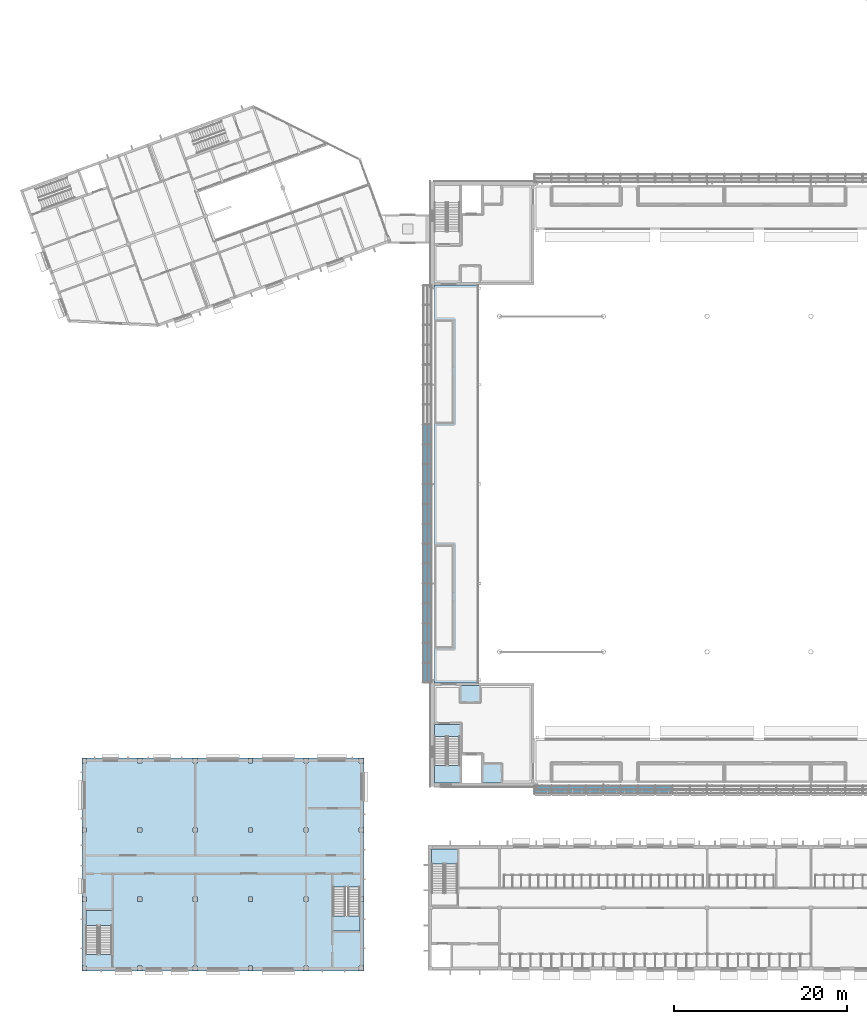
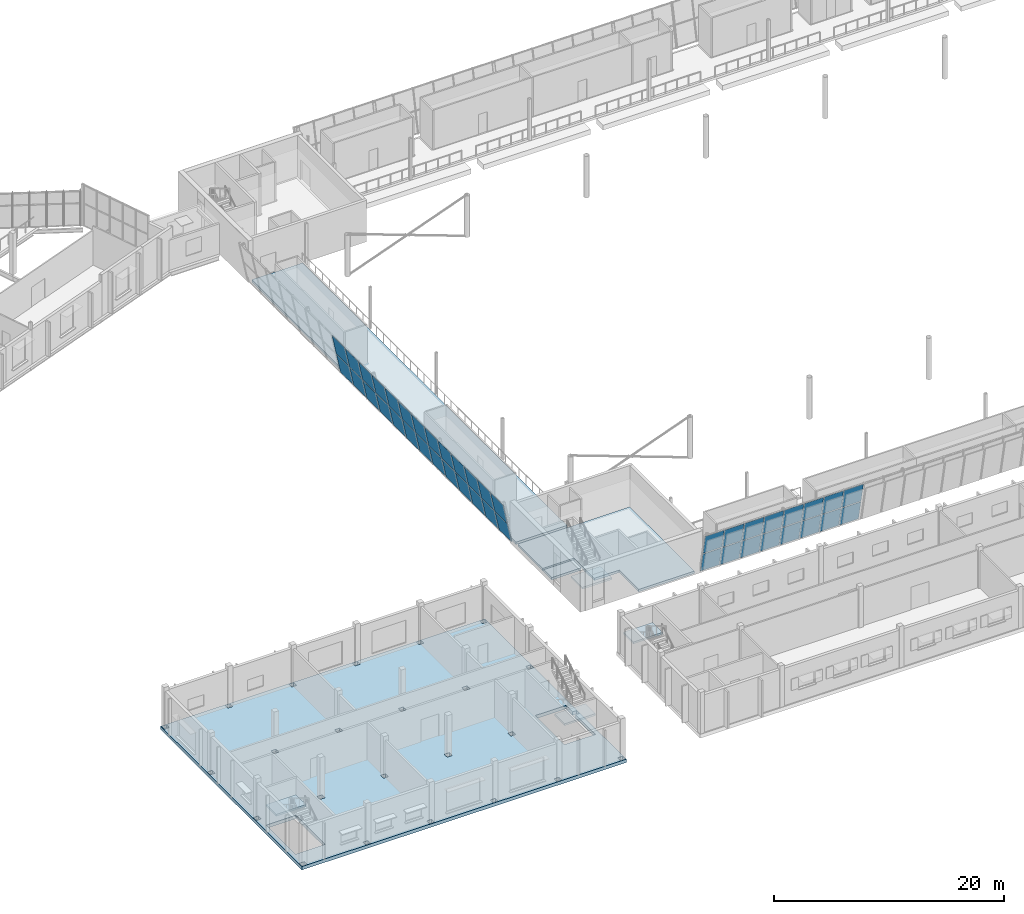
# One storey, part 49 of 115: 42 plates, 8 slabs, 6 elements without a shape of their own.
"""IFC4 building model written with IfcOpenShell, lengths in metres."""

from ifc_helpers import new_model, si_unit, direction, frame, origin, place, context, subcontext, project, spatial, polyline, outline, extrude, material, layer, layer_set, type_object, element, aggregate, save


model = new_model("IFC4")

# Units and contexts
model_context = context("Model", 3, precision=1e-05, world=origin(), true_north=direction((0.0, 1.0)))
body_context = subcontext(model_context, "Body", "Model", "MODEL_VIEW")
ifc_project = project(units=[si_unit("LENGTHUNIT", "METRE"), si_unit("AREAUNIT", "SQUARE_METRE"), si_unit("VOLUMEUNIT", "CUBIC_METRE"), si_unit("PLANEANGLEUNIT", "RADIAN"), si_unit("MASSUNIT", "GRAM", prefix="KILO")], contexts=[model_context])

# Site, building, storey
site_placement = place(None, origin())
site = spatial("IfcSite", under=ifc_project, at=site_placement, CompositionType="ELEMENT")
building_placement = place(site_placement, origin())
building = spatial("IfcBuilding", under=site, at=building_placement, Name="Windward Yard Aquatics Centre", CompositionType="ELEMENT")
storey_placement = place(building_placement, frame((0.0, 0.0, 5.0)))
storey = spatial("IfcBuildingStorey", under=building, at=storey_placement, Name="L01", CompositionType="ELEMENT", Elevation=5.0)

# Stair, slab
ifc_material_1 = material(Name="Concrete C35/45", Category="concrete")
stair_type_1 = type_object("IfcStairType", Name="C Village stair 1 dog-leg stair", PredefinedType="HALF_TURN_STAIR", material=ifc_material_1)
stair_1_placement = place(storey_placement, origin())
stair_1 = element("IfcStair", 1, at=stair_1_placement, inside=storey, type_object=stair_type_1, Name="L01 Village stair 1", PredefinedType="HALF_TURN_STAIR")
ifc_layer_1 = layer(ifc_material_1, 0.199951171875)
ifc_layer_set_1 = layer_set([ifc_layer_1], Name="C Village stair 1 stair landing 200")
slab_type_1 = type_object("IfcSlabType", Name="C Village stair 1 stair landing 200", PredefinedType="LANDING", material=ifc_layer_set_1)
slab_1_placement = place(storey_placement, frame((0.0, 0.0, 2.0)))
slab_1 = element("IfcSlab", 2, at=slab_1_placement, type_object=slab_type_1, Name="C-ST1 landing 1", PredefinedType="LANDING", context=body_context, shape_type="SweptSolid", body=[
    extrude(outline(polyline([(52.14990234375, 17.050048828125), (55.10009765625, 17.050048828125), (55.10009765625, 18.800048828125), (52.14990234375, 18.800048828125), (52.14990234375, 17.050048828125)])), origin(), (0.0, 0.0, 1.0), 0.199951171875),
])
aggregate(stair_1, [slab_1])

# Slabs
ifc_layer_2 = layer(ifc_material_1, 0.25)
ifc_layer_set_2 = layer_set([ifc_layer_2], Name="H Core Floor Concrete C35/45 250")
slab_type_2 = type_object("IfcSlabType", Name="H Core Floor Concrete C35/45 250", PredefinedType="FLOOR", material=ifc_layer_set_2)
slab_2_placement = place(storey_placement, frame((0.0, 0.0, -0.25)))
element("IfcSlab", 3, at=slab_2_placement, inside=storey, type_object=slab_type_2, Name="L01 core floor SW", PredefinedType="FLOOR", context=body_context, shape_type="SweptSolid", body=[
    extrude(outline(polyline([(52.449951171875, 33.39990234375), (55.60009765625, 33.39990234375), (55.60009765625, 29.85009765625), (58.10009765625, 29.85009765625), (58.10009765625, 26.449951171875), (63.699951171875, 26.449951171875), (63.699951171875, 37.699951171875), (52.449951171875, 37.699951171875), (52.449951171875, 33.39990234375)])), origin(), (0.0, 0.0, 1.0), 0.25),
])
slab_3_placement = place(storey_placement, frame((0.0, 0.0, -0.25)))
element("IfcSlab", 4, at=slab_3_placement, inside=storey, type_object=slab_type_2, Name="L01 stair floor landing SW", PredefinedType="FLOOR", context=body_context, shape_type="SweptSolid", body=[
    extrude(outline(polyline([(52.449951171875, 31.800048828125), (55.39990234375, 31.800048828125), (55.39990234375, 33.199951171875), (52.449951171875, 33.199951171875), (52.449951171875, 31.800048828125)])), origin(), (0.0, 0.0, 1.0), 0.25),
])

# Stair, slab
stair_type_2 = type_object("IfcStairType", Name="H Core Stair Concrete C35/45 1400", PredefinedType="HALF_TURN_STAIR", material=ifc_material_1)
stair_2_placement = place(storey_placement, origin())
stair_2 = element("IfcStair", 5, at=stair_2_placement, inside=storey, type_object=stair_type_2, Name="L01 Stair SW", PredefinedType="HALF_TURN_STAIR")
ifc_layer_3 = layer(ifc_material_1, 0.199951171875)
ifc_layer_set_3 = layer_set([ifc_layer_3], Name="H Stair Landing Concrete C35/45 200")
slab_type_3 = type_object("IfcSlabType", Name="H Stair Landing Concrete C35/45 200", PredefinedType="LANDING", material=ifc_layer_set_3)
slab_4_placement = place(storey_placement, frame((0.0, 0.0, 2.0)))
slab_4 = element("IfcSlab", 6, at=slab_4_placement, type_object=slab_type_3, Name="ST1 landing 1", PredefinedType="LANDING", context=body_context, shape_type="SweptSolid", body=[
    extrude(outline(polyline([(52.449951171875, 26.449951171875), (55.39990234375, 26.449951171875), (55.39990234375, 28.43994140625), (52.449951171875, 28.43994140625), (52.449951171875, 26.449951171875)])), origin(), (0.0, 0.0, 1.0), 0.199951171875),
])
aggregate(stair_2, [slab_4])

# Slab
ifc_layer_4 = layer(ifc_material_1, 0.25)
ifc_layer_set_4 = layer_set([ifc_layer_4], Name="H concourse slab 250 C35/45")
slab_type_4 = type_object("IfcSlabType", Name="H concourse slab 250 C35/45", PredefinedType="FLOOR", material=ifc_layer_set_4)
slab_5_placement = place(storey_placement, frame((0.0, 0.0, -0.25)))
element("IfcSlab", 7, at=slab_5_placement, inside=storey, type_object=slab_type_4, Name="H.CS.W", PredefinedType="FLOOR", context=body_context, shape_type="SweptSolid", body=[
    extrude(outline(polyline([(52.449951171875, 38.0), (57.5595703125, 38.0), (57.5595703125, 84.0), (52.449951171875, 84.0), (52.449951171875, 38.0)])), origin(), (0.0, 0.0, 1.0), 0.25),
])

# Curtain wall, plates
ifc_material_2 = material(Name="Glass and aluminium curtain wall", Category="aluminium")
ifc_layer_5 = layer(ifc_material_2, 0.179931640625)
ifc_layer_set_5 = layer_set([ifc_layer_5], Name="H curtain wall tier 1 double glazed 8+16+8")
curtain_wall_type = type_object("IfcCurtainWallType", Name="H curtain wall tier 1 double glazed 8+16+8", PredefinedType="NOTDEFINED", material=ifc_layer_set_5)
curtain_wall_1_placement = place(storey_placement, origin())
curtain_wall_1 = element("IfcCurtainWall", 8, at=curtain_wall_1_placement, inside=storey, type_object=curtain_wall_type, Name="Tier 1 glazing S L01", PredefinedType="NOTDEFINED")
ifc_material_3 = material(Name="Low-iron glass", Category="glass")
ifc_layer_6 = layer(ifc_material_3, 0.008, Name="Outer pane")
ifc_material_4 = material(Name="Argon-filled cavity")
ifc_layer_7 = layer(ifc_material_4, 0.016, Name="Cavity")
ifc_layer_8 = layer(ifc_material_3, 0.008, Name="Inner pane")
ifc_layer_set_6 = layer_set([ifc_layer_6, ifc_layer_7, ifc_layer_8], Name="H tier 1 glass low-e double glazed unit 32")
plate_type = type_object("IfcPlateType", Name="H tier 1 glass low-e double glazed unit 32", PredefinedType="CURTAIN_PANEL", material=ifc_layer_set_6)
plate_1_placement = place(storey_placement, frame((64.06494140625, 25.669921875, 2.154296875), z_axis=(0.0, 0.979937049238, 0.19930724907), x_axis=(0.0, 0.19930724907, -0.979937049238)))
plate_1 = element("IfcPlate", 9, at=plate_1_placement, type_object=plate_type, Name="G1SA panel 1.1", PredefinedType="CURTAIN_PANEL", context=body_context, shape_type="SweptSolid", body=[
    extrude(outline(polyline([(0.0, 0.0), (2.088533, 0.0), (2.088533, -1.902344), (0.0, -1.902344), (0.0, 0.0)])), origin(), (0.0, 0.0, -1.0), 0.031982421875),
])
plate_2_placement = place(storey_placement, frame((64.06494140625, 25.232177734375, 4.30517578125), z_axis=(0.0, 0.979920842931, 0.199386914289), x_axis=(0.0, 0.199386914289, -0.979920842931)))
plate_2 = element("IfcPlate", 10, at=plate_2_placement, type_object=plate_type, Name="G1SA panel 1.2", PredefinedType="CURTAIN_PANEL", context=body_context, shape_type="SweptSolid", body=[
    extrude(outline(polyline([(0.0, 0.0), (2.095045, 0.0), (2.095045, -1.902344), (0.0, -1.902344), (0.0, 0.0)])), origin(), (0.0, 0.0, -1.0), 0.031982421875),
])
plate_3_placement = place(storey_placement, frame((66.0322265625, 25.669921875, 2.154296875), z_axis=(0.0, 0.979937049238, 0.19930724907), x_axis=(0.0, 0.19930724907, -0.979937049238)))
plate_3 = element("IfcPlate", 11, at=plate_3_placement, type_object=plate_type, Name="G1SA panel 2.1", PredefinedType="CURTAIN_PANEL", context=body_context, shape_type="SweptSolid", body=[
    extrude(outline(polyline([(0.0, 0.0), (2.088533, 0.0), (2.088533, -1.934814), (0.0, -1.934814), (0.0, 0.0)])), origin(), (0.0, 0.0, -1.0), 0.031982421875),
])
plate_4_placement = place(storey_placement, frame((66.0322265625, 25.232177734375, 4.30517578125), z_axis=(0.0, 0.979920842931, 0.199386914289), x_axis=(0.0, 0.199386914289, -0.979920842931)))
plate_4 = element("IfcPlate", 12, at=plate_4_placement, type_object=plate_type, Name="G1SA panel 2.2", PredefinedType="CURTAIN_PANEL", context=body_context, shape_type="SweptSolid", body=[
    extrude(outline(polyline([(0.0, 0.0), (2.095045, 0.0), (2.095045, -1.934814), (0.0, -1.934814), (0.0, 0.0)])), origin(), (0.0, 0.0, -1.0), 0.031982421875),
])
plate_5_placement = place(storey_placement, frame((68.031982421875, 25.669921875, 2.154296875), z_axis=(0.0, 0.979937049238, 0.19930724907), x_axis=(0.0, 0.19930724907, -0.979937049238)))
plate_5 = element("IfcPlate", 13, at=plate_5_placement, type_object=plate_type, Name="G1SA panel 3.1", PredefinedType="CURTAIN_PANEL", context=body_context, shape_type="SweptSolid", body=[
    extrude(outline(polyline([(0.0, 0.0), (2.088533, 0.0), (2.088533, -1.934814), (0.0, -1.934814), (0.0, 0.0)])), origin(), (0.0, 0.0, -1.0), 0.031982421875),
])
plate_6_placement = place(storey_placement, frame((68.031982421875, 25.232177734375, 4.30517578125), z_axis=(0.0, 0.979920842931, 0.199386914289), x_axis=(0.0, 0.199386914289, -0.979920842931)))
plate_6 = element("IfcPlate", 14, at=plate_6_placement, type_object=plate_type, Name="G1SA panel 3.2", PredefinedType="CURTAIN_PANEL", context=body_context, shape_type="SweptSolid", body=[
    extrude(outline(polyline([(0.0, 0.0), (2.095045, 0.0), (2.095045, -1.934814), (0.0, -1.934814), (0.0, 0.0)])), origin(), (0.0, 0.0, -1.0), 0.031982421875),
])
plate_7_placement = place(storey_placement, frame((70.03173828125, 25.669921875, 2.154296875), z_axis=(0.0, 0.979937049238, 0.19930724907), x_axis=(0.0, 0.19930724907, -0.979937049238)))
plate_7 = element("IfcPlate", 15, at=plate_7_placement, type_object=plate_type, Name="G1SA panel 4.1", PredefinedType="CURTAIN_PANEL", context=body_context, shape_type="SweptSolid", body=[
    extrude(outline(polyline([(0.0, 0.0), (2.088533, 0.0), (2.088533, -1.934814), (0.0, -1.934814), (0.0, 0.0)])), origin(), (0.0, 0.0, -1.0), 0.031982421875),
])
plate_8_placement = place(storey_placement, frame((70.03173828125, 25.232177734375, 4.30517578125), z_axis=(0.0, 0.979920842931, 0.199386914289), x_axis=(0.0, 0.199386914289, -0.979920842931)))
plate_8 = element("IfcPlate", 16, at=plate_8_placement, type_object=plate_type, Name="G1SA panel 4.2", PredefinedType="CURTAIN_PANEL", context=body_context, shape_type="SweptSolid", body=[
    extrude(outline(polyline([(0.0, 0.0), (2.095045, 0.0), (2.095045, -1.934814), (0.0, -1.934814), (0.0, 0.0)])), origin(), (0.0, 0.0, -1.0), 0.031982421875),
])
plate_9_placement = place(storey_placement, frame((72.031494140625, 25.669921875, 2.154296875), z_axis=(0.0, 0.979937049238, 0.19930724907), x_axis=(0.0, 0.19930724907, -0.979937049238)))
plate_9 = element("IfcPlate", 17, at=plate_9_placement, type_object=plate_type, Name="G1SA panel 5.1", PredefinedType="CURTAIN_PANEL", context=body_context, shape_type="SweptSolid", body=[
    extrude(outline(polyline([(0.0, 0.0), (2.088533, 0.0), (2.088533, -1.93457), (0.0, -1.93457), (0.0, 0.0)])), origin(), (0.0, 0.0, -1.0), 0.031982421875),
])
plate_10_placement = place(storey_placement, frame((72.031494140625, 25.232177734375, 4.30517578125), z_axis=(0.0, 0.979920842931, 0.199386914289), x_axis=(0.0, 0.199386914289, -0.979920842931)))
plate_10 = element("IfcPlate", 18, at=plate_10_placement, type_object=plate_type, Name="G1SA panel 5.2", PredefinedType="CURTAIN_PANEL", context=body_context, shape_type="SweptSolid", body=[
    extrude(outline(polyline([(0.0, 0.0), (2.095045, 0.0), (2.095045, -1.93457), (0.0, -1.93457), (0.0, 0.0)])), origin(), (0.0, 0.0, -1.0), 0.031982421875),
])
plate_11_placement = place(storey_placement, frame((74.03125, 25.669921875, 2.154296875), z_axis=(0.0, 0.979937049238, 0.19930724907), x_axis=(0.0, 0.19930724907, -0.979937049238)))
plate_11 = element("IfcPlate", 19, at=plate_11_placement, type_object=plate_type, Name="G1SA panel 6.1", PredefinedType="CURTAIN_PANEL", context=body_context, shape_type="SweptSolid", body=[
    extrude(outline(polyline([(0.0, 0.0), (2.088533, 0.0), (2.088533, -1.93457), (0.0, -1.93457), (0.0, 0.0)])), origin(), (0.0, 0.0, -1.0), 0.031982421875),
])
plate_12_placement = place(storey_placement, frame((74.03125, 25.232177734375, 4.30517578125), z_axis=(0.0, 0.979920842931, 0.199386914289), x_axis=(0.0, 0.199386914289, -0.979920842931)))
plate_12 = element("IfcPlate", 20, at=plate_12_placement, type_object=plate_type, Name="G1SA panel 6.2", PredefinedType="CURTAIN_PANEL", context=body_context, shape_type="SweptSolid", body=[
    extrude(outline(polyline([(0.0, 0.0), (2.095045, 0.0), (2.095045, -1.93457), (0.0, -1.93457), (0.0, 0.0)])), origin(), (0.0, 0.0, -1.0), 0.031982421875),
])
plate_13_placement = place(storey_placement, frame((76.031005859375, 25.669921875, 2.154296875), z_axis=(0.0, 0.979937049238, 0.19930724907), x_axis=(0.0, 0.19930724907, -0.979937049238)))
plate_13 = element("IfcPlate", 21, at=plate_13_placement, type_object=plate_type, Name="G1SA panel 7.1", PredefinedType="CURTAIN_PANEL", context=body_context, shape_type="SweptSolid", body=[
    extrude(outline(polyline([(0.0, 0.0), (2.088533, 0.0), (2.088533, -1.93457), (0.0, -1.93457), (0.0, 0.0)])), origin(), (0.0, 0.0, -1.0), 0.031982421875),
])
plate_14_placement = place(storey_placement, frame((76.031005859375, 25.232177734375, 4.30517578125), z_axis=(0.0, 0.979920842931, 0.199386914289), x_axis=(0.0, 0.199386914289, -0.979920842931)))
plate_14 = element("IfcPlate", 22, at=plate_14_placement, type_object=plate_type, Name="G1SA panel 7.2", PredefinedType="CURTAIN_PANEL", context=body_context, shape_type="SweptSolid", body=[
    extrude(outline(polyline([(0.0, 0.0), (2.095045, 0.0), (2.095045, -1.93457), (0.0, -1.93457), (0.0, 0.0)])), origin(), (0.0, 0.0, -1.0), 0.031982421875),
])
plate_15_placement = place(storey_placement, frame((78.03076171875, 25.669921875, 2.154296875), z_axis=(0.0, 0.979937049238, 0.19930724907), x_axis=(0.0, 0.19930724907, -0.979937049238)))
plate_15 = element("IfcPlate", 23, at=plate_15_placement, type_object=plate_type, Name="G1SA panel 8.1", PredefinedType="CURTAIN_PANEL", context=body_context, shape_type="SweptSolid", body=[
    extrude(outline(polyline([(0.0, 0.0), (2.088533, 0.0), (2.088533, -1.93457), (0.0, -1.93457), (0.0, 0.0)])), origin(), (0.0, 0.0, -1.0), 0.031982421875),
])
plate_16_placement = place(storey_placement, frame((78.03076171875, 25.232177734375, 4.30517578125), z_axis=(0.0, 0.979920842931, 0.199386914289), x_axis=(0.0, 0.199386914289, -0.979920842931)))
plate_16 = element("IfcPlate", 24, at=plate_16_placement, type_object=plate_type, Name="G1SA panel 8.2", PredefinedType="CURTAIN_PANEL", context=body_context, shape_type="SweptSolid", body=[
    extrude(outline(polyline([(0.0, 0.0), (2.095045, 0.0), (2.095045, -1.93457), (0.0, -1.93457), (0.0, 0.0)])), origin(), (0.0, 0.0, -1.0), 0.031982421875),
])
aggregate(curtain_wall_1, [plate_1, plate_2, plate_3, plate_4, plate_5, plate_6, plate_7, plate_8, plate_9, plate_10, plate_11, plate_12, plate_13, plate_14, plate_15, plate_16])

curtain_wall_2_placement = place(storey_placement, origin())
curtain_wall_2 = element("IfcCurtainWall", 25, at=curtain_wall_2_placement, inside=storey, type_object=curtain_wall_type, Name="Tier 1 glazing W L01", PredefinedType="NOTDEFINED")
plate_17_placement = place(storey_placement, frame((51.669921875, 38.06494140625, 2.154296875), z_axis=(0.979937049238, 0.0, 0.19930724907), x_axis=(0.19930724907, 0.0, -0.979937049238)))
plate_17 = element("IfcPlate", 26, at=plate_17_placement, type_object=plate_type, Name="G1WA panel 1.1", PredefinedType="CURTAIN_PANEL", context=body_context, shape_type="SweptSolid", body=[
    extrude(outline(polyline([(0.0, 0.0), (2.088533, 0.0), (2.088533, 2.202637), (0.0, 2.202637), (0.0, 0.0)])), origin(), (0.0, 0.0, -1.0), 0.031982421875),
])
plate_18_placement = place(storey_placement, frame((51.232177734375, 38.06494140625, 4.30517578125), z_axis=(0.979920842931, 0.0, 0.199386914289), x_axis=(0.199386914289, 0.0, -0.979920842931)))
plate_18 = element("IfcPlate", 27, at=plate_18_placement, type_object=plate_type, Name="G1WA panel 1.2", PredefinedType="CURTAIN_PANEL", context=body_context, shape_type="SweptSolid", body=[
    extrude(outline(polyline([(0.0, 0.0), (2.095045, 0.0), (2.095045, 2.202637), (0.0, 2.202637), (0.0, 0.0)])), origin(), (0.0, 0.0, -1.0), 0.031982421875),
])
plate_19_placement = place(storey_placement, frame((51.669921875, 40.33251953125, 2.154296875), z_axis=(0.979937049238, 0.0, 0.19930724907), x_axis=(0.19930724907, 0.0, -0.979937049238)))
plate_19 = element("IfcPlate", 28, at=plate_19_placement, type_object=plate_type, Name="G1WA panel 2.1", PredefinedType="CURTAIN_PANEL", context=body_context, shape_type="SweptSolid", body=[
    extrude(outline(polyline([(0.0, 0.0), (2.088533, 0.0), (2.088533, 2.234863), (0.0, 2.234863), (0.0, 0.0)])), origin(), (0.0, 0.0, -1.0), 0.031982421875),
])
plate_20_placement = place(storey_placement, frame((51.232177734375, 40.33251953125, 4.30517578125), z_axis=(0.979920842931, 0.0, 0.199386914289), x_axis=(0.199386914289, 0.0, -0.979920842931)))
plate_20 = element("IfcPlate", 29, at=plate_20_placement, type_object=plate_type, Name="G1WA panel 2.2", PredefinedType="CURTAIN_PANEL", context=body_context, shape_type="SweptSolid", body=[
    extrude(outline(polyline([(0.0, 0.0), (2.095045, 0.0), (2.095045, 2.234863), (0.0, 2.234863), (0.0, 0.0)])), origin(), (0.0, 0.0, -1.0), 0.031982421875),
])
plate_21_placement = place(storey_placement, frame((51.669921875, 42.632568359375, 2.154296875), z_axis=(0.979937049238, 0.0, 0.19930724907), x_axis=(0.19930724907, 0.0, -0.979937049238)))
plate_21 = element("IfcPlate", 30, at=plate_21_placement, type_object=plate_type, Name="G1WA panel 3.1", PredefinedType="CURTAIN_PANEL", context=body_context, shape_type="SweptSolid", body=[
    extrude(outline(polyline([(0.0, 0.0), (2.088533, 0.0), (2.088533, 2.234863), (0.0, 2.234863), (0.0, 0.0)])), origin(), (0.0, 0.0, -1.0), 0.031982421875),
])
plate_22_placement = place(storey_placement, frame((51.232177734375, 42.632568359375, 4.30517578125), z_axis=(0.979920842931, 0.0, 0.199386914289), x_axis=(0.199386914289, 0.0, -0.979920842931)))
plate_22 = element("IfcPlate", 31, at=plate_22_placement, type_object=plate_type, Name="G1WA panel 3.2", PredefinedType="CURTAIN_PANEL", context=body_context, shape_type="SweptSolid", body=[
    extrude(outline(polyline([(0.0, 0.0), (2.095045, 0.0), (2.095045, 2.234863), (0.0, 2.234863), (0.0, 0.0)])), origin(), (0.0, 0.0, -1.0), 0.031982421875),
])
plate_23_placement = place(storey_placement, frame((51.669921875, 44.9326171875, 2.154296875), z_axis=(0.979937049238, 0.0, 0.19930724907), x_axis=(0.19930724907, 0.0, -0.979937049238)))
plate_23 = element("IfcPlate", 32, at=plate_23_placement, type_object=plate_type, Name="G1WA panel 4.1", PredefinedType="CURTAIN_PANEL", context=body_context, shape_type="SweptSolid", body=[
    extrude(outline(polyline([(0.0, 0.0), (2.088533, 0.0), (2.088533, 2.234863), (0.0, 2.234863), (0.0, 0.0)])), origin(), (0.0, 0.0, -1.0), 0.031982421875),
])
plate_24_placement = place(storey_placement, frame((51.232177734375, 44.9326171875, 4.30517578125), z_axis=(0.979920842931, 0.0, 0.199386914289), x_axis=(0.199386914289, 0.0, -0.979920842931)))
plate_24 = element("IfcPlate", 33, at=plate_24_placement, type_object=plate_type, Name="G1WA panel 4.2", PredefinedType="CURTAIN_PANEL", context=body_context, shape_type="SweptSolid", body=[
    extrude(outline(polyline([(0.0, 0.0), (2.095045, 0.0), (2.095045, 2.234863), (0.0, 2.234863), (0.0, 0.0)])), origin(), (0.0, 0.0, -1.0), 0.031982421875),
])
plate_25_placement = place(storey_placement, frame((51.669921875, 47.232421875, 2.154296875), z_axis=(0.979937049238, 0.0, 0.19930724907), x_axis=(0.19930724907, 0.0, -0.979937049238)))
plate_25 = element("IfcPlate", 34, at=plate_25_placement, type_object=plate_type, Name="G1WA panel 5.1", PredefinedType="CURTAIN_PANEL", context=body_context, shape_type="SweptSolid", body=[
    extrude(outline(polyline([(0.0, 0.0), (2.088533, 0.0), (2.088533, 2.235107), (0.0, 2.235107), (0.0, 0.0)])), origin(), (0.0, 0.0, -1.0), 0.031982421875),
])
plate_26_placement = place(storey_placement, frame((51.232177734375, 47.232421875, 4.30517578125), z_axis=(0.979920842931, 0.0, 0.199386914289), x_axis=(0.199386914289, 0.0, -0.979920842931)))
plate_26 = element("IfcPlate", 35, at=plate_26_placement, type_object=plate_type, Name="G1WA panel 5.2", PredefinedType="CURTAIN_PANEL", context=body_context, shape_type="SweptSolid", body=[
    extrude(outline(polyline([(0.0, 0.0), (2.095045, 0.0), (2.095045, 2.235107), (0.0, 2.235107), (0.0, 0.0)])), origin(), (0.0, 0.0, -1.0), 0.031982421875),
])
plate_27_placement = place(storey_placement, frame((51.669921875, 49.532470703125, 2.154296875), z_axis=(0.979937049238, 0.0, 0.19930724907), x_axis=(0.19930724907, 0.0, -0.979937049238)))
plate_27 = element("IfcPlate", 36, at=plate_27_placement, type_object=plate_type, Name="G1WA panel 6.1", PredefinedType="CURTAIN_PANEL", context=body_context, shape_type="SweptSolid", body=[
    extrude(outline(polyline([(0.0, 0.0), (2.088533, 0.0), (2.088533, 2.235107), (0.0, 2.235107), (0.0, 0.0)])), origin(), (0.0, 0.0, -1.0), 0.031982421875),
])
plate_28_placement = place(storey_placement, frame((51.232177734375, 49.532470703125, 4.30517578125), z_axis=(0.979920842931, 0.0, 0.199386914289), x_axis=(0.199386914289, 0.0, -0.979920842931)))
plate_28 = element("IfcPlate", 37, at=plate_28_placement, type_object=plate_type, Name="G1WA panel 6.2", PredefinedType="CURTAIN_PANEL", context=body_context, shape_type="SweptSolid", body=[
    extrude(outline(polyline([(0.0, 0.0), (2.095045, 0.0), (2.095045, 2.235107), (0.0, 2.235107), (0.0, 0.0)])), origin(), (0.0, 0.0, -1.0), 0.031982421875),
])
plate_29_placement = place(storey_placement, frame((51.669921875, 51.83251953125, 2.154296875), z_axis=(0.979937049238, 0.0, 0.19930724907), x_axis=(0.19930724907, 0.0, -0.979937049238)))
plate_29 = element("IfcPlate", 38, at=plate_29_placement, type_object=plate_type, Name="G1WA panel 7.1", PredefinedType="CURTAIN_PANEL", context=body_context, shape_type="SweptSolid", body=[
    extrude(outline(polyline([(0.0, 0.0), (2.088533, 0.0), (2.088533, 2.234863), (0.0, 2.234863), (0.0, 0.0)])), origin(), (0.0, 0.0, -1.0), 0.031982421875),
])
plate_30_placement = place(storey_placement, frame((51.232177734375, 51.83251953125, 4.30517578125), z_axis=(0.979920842931, 0.0, 0.199386914289), x_axis=(0.199386914289, 0.0, -0.979920842931)))
plate_30 = element("IfcPlate", 39, at=plate_30_placement, type_object=plate_type, Name="G1WA panel 7.2", PredefinedType="CURTAIN_PANEL", context=body_context, shape_type="SweptSolid", body=[
    extrude(outline(polyline([(0.0, 0.0), (2.095045, 0.0), (2.095045, 2.234863), (0.0, 2.234863), (0.0, 0.0)])), origin(), (0.0, 0.0, -1.0), 0.031982421875),
])
plate_31_placement = place(storey_placement, frame((51.669921875, 54.132568359375, 2.154296875), z_axis=(0.979937049238, 0.0, 0.19930724907), x_axis=(0.19930724907, 0.0, -0.979937049238)))
plate_31 = element("IfcPlate", 40, at=plate_31_placement, type_object=plate_type, Name="G1WA panel 8.1", PredefinedType="CURTAIN_PANEL", context=body_context, shape_type="SweptSolid", body=[
    extrude(outline(polyline([(0.0, 0.0), (2.088533, 0.0), (2.088533, 2.234863), (0.0, 2.234863), (0.0, 0.0)])), origin(), (0.0, 0.0, -1.0), 0.031982421875),
])
plate_32_placement = place(storey_placement, frame((51.232177734375, 54.132568359375, 4.30517578125), z_axis=(0.979920842931, 0.0, 0.199386914289), x_axis=(0.199386914289, 0.0, -0.979920842931)))
plate_32 = element("IfcPlate", 41, at=plate_32_placement, type_object=plate_type, Name="G1WA panel 8.2", PredefinedType="CURTAIN_PANEL", context=body_context, shape_type="SweptSolid", body=[
    extrude(outline(polyline([(0.0, 0.0), (2.095045, 0.0), (2.095045, 2.234863), (0.0, 2.234863), (0.0, 0.0)])), origin(), (0.0, 0.0, -1.0), 0.031982421875),
])
plate_33_placement = place(storey_placement, frame((51.669921875, 56.4326171875, 2.154296875), z_axis=(0.979937049238, 0.0, 0.19930724907), x_axis=(0.19930724907, 0.0, -0.979937049238)))
plate_33 = element("IfcPlate", 42, at=plate_33_placement, type_object=plate_type, Name="G1WA panel 9.1", PredefinedType="CURTAIN_PANEL", context=body_context, shape_type="SweptSolid", body=[
    extrude(outline(polyline([(0.0, 0.0), (2.088533, 0.0), (2.088533, 2.234863), (0.0, 2.234863), (0.0, 0.0)])), origin(), (0.0, 0.0, -1.0), 0.031982421875),
])
plate_34_placement = place(storey_placement, frame((51.232177734375, 56.4326171875, 4.30517578125), z_axis=(0.979920842931, 0.0, 0.199386914289), x_axis=(0.199386914289, 0.0, -0.979920842931)))
plate_34 = element("IfcPlate", 43, at=plate_34_placement, type_object=plate_type, Name="G1WA panel 9.2", PredefinedType="CURTAIN_PANEL", context=body_context, shape_type="SweptSolid", body=[
    extrude(outline(polyline([(0.0, 0.0), (2.095045, 0.0), (2.095045, 2.234863), (0.0, 2.234863), (0.0, 0.0)])), origin(), (0.0, 0.0, -1.0), 0.031982421875),
])
plate_35_placement = place(storey_placement, frame((51.669921875, 58.732421875, 2.154296875), z_axis=(0.979937049238, 0.0, 0.19930724907), x_axis=(0.19930724907, 0.0, -0.979937049238)))
plate_35 = element("IfcPlate", 44, at=plate_35_placement, type_object=plate_type, Name="G1WA panel 10.1", PredefinedType="CURTAIN_PANEL", context=body_context, shape_type="SweptSolid", body=[
    extrude(outline(polyline([(0.0, 0.0), (2.088533, 0.0), (2.088533, 2.235107), (0.0, 2.235107), (0.0, 0.0)])), origin(), (0.0, 0.0, -1.0), 0.031982421875),
])
plate_36_placement = place(storey_placement, frame((51.232177734375, 58.732421875, 4.30517578125), z_axis=(0.979920842931, 0.0, 0.199386914289), x_axis=(0.199386914289, 0.0, -0.979920842931)))
plate_36 = element("IfcPlate", 45, at=plate_36_placement, type_object=plate_type, Name="G1WA panel 10.2", PredefinedType="CURTAIN_PANEL", context=body_context, shape_type="SweptSolid", body=[
    extrude(outline(polyline([(0.0, 0.0), (2.095045, 0.0), (2.095045, 2.235107), (0.0, 2.235107), (0.0, 0.0)])), origin(), (0.0, 0.0, -1.0), 0.031982421875),
])
plate_37_placement = place(storey_placement, frame((51.669921875, 61.032470703125, 2.154296875), z_axis=(0.979937049238, 0.0, 0.19930724907), x_axis=(0.19930724907, 0.0, -0.979937049238)))
plate_37 = element("IfcPlate", 46, at=plate_37_placement, type_object=plate_type, Name="G1WA panel 11.1", PredefinedType="CURTAIN_PANEL", context=body_context, shape_type="SweptSolid", body=[
    extrude(outline(polyline([(0.0, 0.0), (2.088533, 0.0), (2.088533, 2.235107), (0.0, 2.235107), (0.0, 0.0)])), origin(), (0.0, 0.0, -1.0), 0.031982421875),
])
plate_38_placement = place(storey_placement, frame((51.232177734375, 61.032470703125, 4.30517578125), z_axis=(0.979920842931, 0.0, 0.199386914289), x_axis=(0.199386914289, 0.0, -0.979920842931)))
plate_38 = element("IfcPlate", 47, at=plate_38_placement, type_object=plate_type, Name="G1WA panel 11.2", PredefinedType="CURTAIN_PANEL", context=body_context, shape_type="SweptSolid", body=[
    extrude(outline(polyline([(0.0, 0.0), (2.095045, 0.0), (2.095045, 2.235107), (0.0, 2.235107), (0.0, 0.0)])), origin(), (0.0, 0.0, -1.0), 0.031982421875),
])
plate_39_placement = place(storey_placement, frame((51.669921875, 63.33251953125, 2.154296875), z_axis=(0.979937049238, 0.0, 0.19930724907), x_axis=(0.19930724907, 0.0, -0.979937049238)))
plate_39 = element("IfcPlate", 48, at=plate_39_placement, type_object=plate_type, Name="G1WA panel 12.1", PredefinedType="CURTAIN_PANEL", context=body_context, shape_type="SweptSolid", body=[
    extrude(outline(polyline([(0.0, 0.0), (2.088533, 0.0), (2.088533, 2.234863), (0.0, 2.234863), (0.0, 0.0)])), origin(), (0.0, 0.0, -1.0), 0.031982421875),
])
plate_40_placement = place(storey_placement, frame((51.232177734375, 63.33251953125, 4.30517578125), z_axis=(0.979920842931, 0.0, 0.199386914289), x_axis=(0.199386914289, 0.0, -0.979920842931)))
plate_40 = element("IfcPlate", 49, at=plate_40_placement, type_object=plate_type, Name="G1WA panel 12.2", PredefinedType="CURTAIN_PANEL", context=body_context, shape_type="SweptSolid", body=[
    extrude(outline(polyline([(0.0, 0.0), (2.095045, 0.0), (2.095045, 2.234863), (0.0, 2.234863), (0.0, 0.0)])), origin(), (0.0, 0.0, -1.0), 0.031982421875),
])
plate_41_placement = place(storey_placement, frame((51.669921875, 65.632568359375, 2.154296875), z_axis=(0.979937049238, 0.0, 0.19930724907), x_axis=(0.19930724907, 0.0, -0.979937049238)))
plate_41 = element("IfcPlate", 50, at=plate_41_placement, type_object=plate_type, Name="G1WA panel 13.1", PredefinedType="CURTAIN_PANEL", context=body_context, shape_type="SweptSolid", body=[
    extrude(outline(polyline([(0.0, 0.0), (2.088533, 0.0), (2.088533, 2.234863), (0.0, 2.234863), (0.0, 0.0)])), origin(), (0.0, 0.0, -1.0), 0.031982421875),
])
plate_42_placement = place(storey_placement, frame((51.232177734375, 65.632568359375, 4.30517578125), z_axis=(0.979920842931, 0.0, 0.199386914289), x_axis=(0.199386914289, 0.0, -0.979920842931)))
plate_42 = element("IfcPlate", 51, at=plate_42_placement, type_object=plate_type, Name="G1WA panel 13.2", PredefinedType="CURTAIN_PANEL", context=body_context, shape_type="SweptSolid", body=[
    extrude(outline(polyline([(0.0, 0.0), (2.095045, 0.0), (2.095045, 2.234863), (0.0, 2.234863), (0.0, 0.0)])), origin(), (0.0, 0.0, -1.0), 0.031982421875),
])
aggregate(curtain_wall_2, [plate_17, plate_18, plate_19, plate_20, plate_21, plate_22, plate_23, plate_24, plate_25, plate_26, plate_27, plate_28, plate_29, plate_30, plate_31, plate_32, plate_33, plate_34, plate_35, plate_36, plate_37, plate_38, plate_39, plate_40, plate_41, plate_42])

# Stair, slab
stair_type_3 = type_object("IfcStairType", Name="P Plant stair 1 dog-leg stair", PredefinedType="HALF_TURN_STAIR", material=ifc_material_1)
stair_3_placement = place(storey_placement, origin())
stair_3 = element("IfcStair", 52, at=stair_3_placement, inside=storey, type_object=stair_type_3, Name="L01 Plant stair 1", PredefinedType="HALF_TURN_STAIR")
ifc_layer_9 = layer(ifc_material_1, 0.199951171875)
ifc_layer_set_7 = layer_set([ifc_layer_9], Name="P Plant stair 1 stair landing 200")
slab_type_5 = type_object("IfcSlabType", Name="P Plant stair 1 stair landing 200", PredefinedType="LANDING", material=ifc_layer_set_7)
slab_6_placement = place(storey_placement, frame((0.0, 0.0, 2.0)))
slab_6 = element("IfcSlab", 53, at=slab_6_placement, type_object=slab_type_5, Name="P-ST1 landing 1", PredefinedType="LANDING", context=body_context, shape_type="SweptSolid", body=[
    extrude(outline(polyline([(12.14990234375, 9.949951171875), (15.14990234375, 9.949951171875), (15.14990234375, 11.699951171875), (12.14990234375, 11.699951171875), (12.14990234375, 9.949951171875)])), origin(), (0.0, 0.0, 1.0), 0.199951171875),
])
aggregate(stair_3, [slab_6])

stair_type_4 = type_object("IfcStairType", Name="P Plant stair 2 dog-leg stair", PredefinedType="HALF_TURN_STAIR", material=ifc_material_1)
stair_4_placement = place(storey_placement, origin())
stair_4 = element("IfcStair", 54, at=stair_4_placement, inside=storey, type_object=stair_type_4, Name="L01 Plant stair 2", PredefinedType="HALF_TURN_STAIR")
ifc_layer_10 = layer(ifc_material_1, 0.199951171875)
ifc_layer_set_8 = layer_set([ifc_layer_10], Name="P Plant stair 2 stair landing 200")
slab_type_6 = type_object("IfcSlabType", Name="P Plant stair 2 stair landing 200", PredefinedType="LANDING", material=ifc_layer_set_8)
slab_7_placement = place(storey_placement, frame((0.0, 0.0, 2.0)))
slab_7 = element("IfcSlab", 55, at=slab_7_placement, type_object=slab_type_6, Name="P-ST2 landing 1", PredefinedType="LANDING", context=body_context, shape_type="SweptSolid", body=[
    extrude(outline(polyline([(40.75, 9.300048828125), (43.85009765625, 9.300048828125), (43.85009765625, 11.050048828125), (40.75, 11.050048828125), (40.75, 9.300048828125)])), origin(), (0.0, 0.0, 1.0), 0.199951171875),
])
aggregate(stair_4, [slab_7])

# Slab
ifc_layer_11 = layer(ifc_material_1, 0.360107421875)
ifc_layer_set_9 = layer_set([ifc_layer_11], Name="P floor slab 360")
slab_type_7 = type_object("IfcSlabType", Name="P floor slab 360", PredefinedType="FLOOR", material=ifc_layer_set_9)
slab_8_placement = place(storey_placement, frame((0.0, 0.0, -0.360107421875)))
element("IfcSlab", 56, at=slab_8_placement, inside=storey, type_object=slab_type_7, Name="P.S.L01", PredefinedType="FLOOR", context=body_context, shape_type="SweptSolid", body=[
    extrude(outline(polyline([(11.699951171875, 4.699951171875), (44.300048828125, 4.699951171875), (44.300048828125, 29.300048828125), (11.699951171875, 29.300048828125), (11.699951171875, 4.699951171875)]), holes=[polyline([(11.75, 4.75), (11.75, 5.25), (12.25, 5.25), (12.25, 4.75), (11.75, 4.75)]), polyline([(18.14990234375, 4.75), (18.14990234375, 5.25), (18.64990234375, 5.25), (18.64990234375, 4.75), (18.14990234375, 4.75)]), polyline([(24.550048828125, 4.75), (24.550048828125, 5.25), (25.050048828125, 5.25), (25.050048828125, 4.75), (24.550048828125, 4.75)]), polyline([(12.14990234375, 6.610107421875), (12.14990234375, 11.699951171875), (15.14990234375, 11.699951171875), (15.14990234375, 6.610107421875), (12.14990234375, 6.610107421875)]), polyline([(11.75, 12.75), (11.75, 13.25), (12.25, 13.25), (12.25, 12.75), (11.75, 12.75)]), polyline([(18.14990234375, 12.75), (18.14990234375, 13.25), (18.64990234375, 13.25), (18.64990234375, 12.75), (18.14990234375, 12.75)]), polyline([(24.550048828125, 12.75), (24.550048828125, 13.25), (25.050048828125, 13.25), (25.050048828125, 12.75), (24.550048828125, 12.75)]), polyline([(11.75, 20.75), (11.75, 21.25), (12.25, 21.25), (12.25, 20.75), (11.75, 20.75)]), polyline([(18.14990234375, 20.75), (18.14990234375, 21.25), (18.64990234375, 21.25), (18.64990234375, 20.75), (18.14990234375, 20.75)]), polyline([(24.550048828125, 20.75), (24.550048828125, 21.25), (25.050048828125, 21.25), (25.050048828125, 20.75), (24.550048828125, 20.75)]), polyline([(11.75, 28.75), (11.75, 29.25), (12.25, 29.25), (12.25, 28.75), (11.75, 28.75)]), polyline([(18.14990234375, 28.75), (18.14990234375, 29.25), (18.64990234375, 29.25), (18.64990234375, 28.75), (18.14990234375, 28.75)]), polyline([(24.550048828125, 28.75), (24.550048828125, 29.25), (25.050048828125, 29.25), (25.050048828125, 28.75), (24.550048828125, 28.75)]), polyline([(30.949951171875, 4.75), (30.949951171875, 5.25), (31.449951171875, 5.25), (31.449951171875, 4.75), (30.949951171875, 4.75)]), polyline([(37.35009765625, 4.75), (37.35009765625, 5.25), (37.85009765625, 5.25), (37.85009765625, 4.75), (37.35009765625, 4.75)]), polyline([(43.75, 4.75), (43.75, 5.25), (44.25, 5.25), (44.25, 4.75), (43.75, 4.75)]), polyline([(40.75, 9.300048828125), (40.75, 14.389892578125), (43.85009765625, 14.389892578125), (43.85009765625, 13.25), (44.25, 13.25), (44.25, 12.75), (43.85009765625, 12.75), (43.85009765625, 9.300048828125), (40.75, 9.300048828125)]), polyline([(30.949951171875, 12.75), (30.949951171875, 13.25), (31.449951171875, 13.25), (31.449951171875, 12.75), (30.949951171875, 12.75)]), polyline([(37.35009765625, 12.75), (37.35009765625, 13.25), (37.85009765625, 13.25), (37.85009765625, 12.75), (37.35009765625, 12.75)]), polyline([(30.949951171875, 20.75), (30.949951171875, 21.25), (31.449951171875, 21.25), (31.449951171875, 20.75), (30.949951171875, 20.75)]), polyline([(37.35009765625, 20.75), (37.35009765625, 21.25), (37.85009765625, 21.25), (37.85009765625, 20.75), (37.35009765625, 20.75)]), polyline([(43.75, 20.75), (43.75, 21.25), (44.25, 21.25), (44.25, 20.75), (43.75, 20.75)]), polyline([(30.949951171875, 28.75), (30.949951171875, 29.25), (31.449951171875, 29.25), (31.449951171875, 28.75), (30.949951171875, 28.75)]), polyline([(37.35009765625, 28.75), (37.35009765625, 29.25), (37.85009765625, 29.25), (37.85009765625, 28.75), (37.35009765625, 28.75)]), polyline([(43.75, 28.75), (43.75, 29.25), (44.25, 29.25), (44.25, 28.75), (43.75, 28.75)])]), origin(), (0.0, 0.0, 1.0), 0.360107421875),
])

save(model, "model.ifc")
